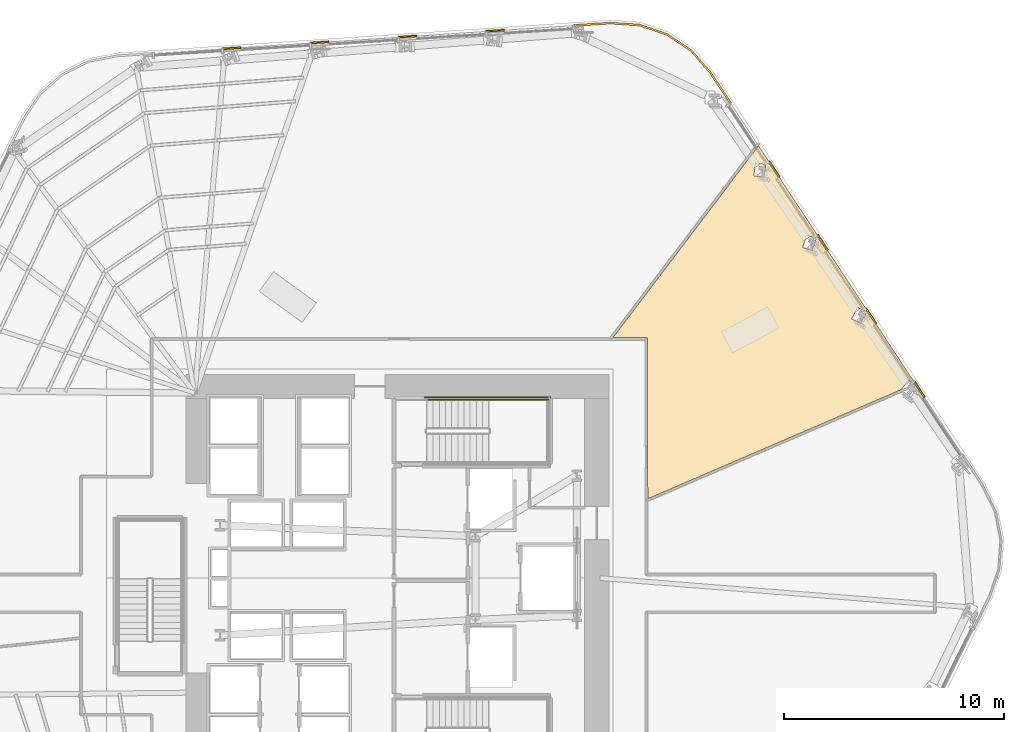
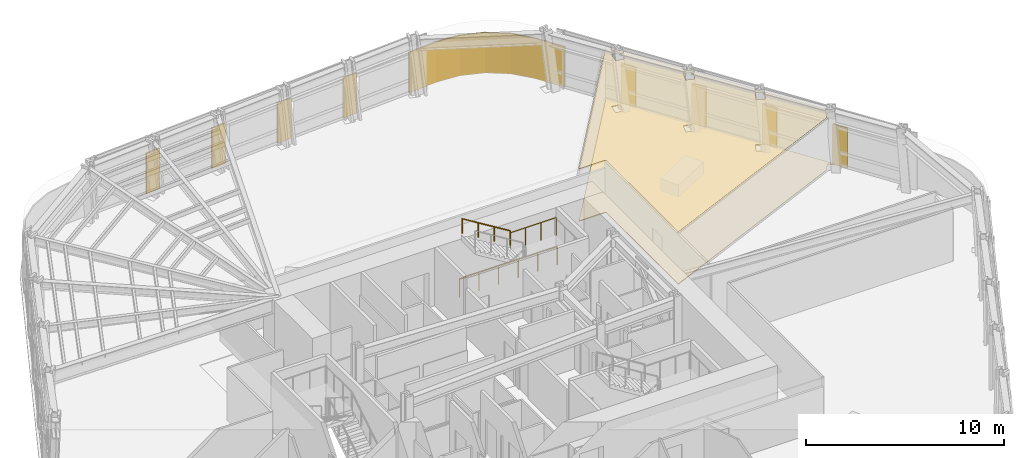
# One storey, part 14 of 15: 11 coverings, 3 railings.
"""IFC4 building model written with IfcOpenShell, lengths in metres."""

from ifc_helpers import new_model, si_unit, direction, frame, origin, origin_2d, place, context, subcontext, project, spatial, polyline, circle, outline, extrude, material, layer, layer_set, type_object, element, save


model = new_model("IFC4")

# Units and contexts
model_context = context("Model", 3, precision=1e-05, world=origin(), true_north=direction((0.0, 1.0)))
body_context = subcontext(model_context, "Body", "Model", "MODEL_VIEW")
ifc_project = project(units=[si_unit("LENGTHUNIT", "METRE"), si_unit("AREAUNIT", "SQUARE_METRE"), si_unit("VOLUMEUNIT", "CUBIC_METRE"), si_unit("PLANEANGLEUNIT", "RADIAN"), si_unit("MASSUNIT", "GRAM", prefix="KILO")], contexts=[model_context])

# Site, building, storey
site_placement = place(None, origin())
site = spatial("IfcSite", under=ifc_project, at=site_placement, CompositionType="ELEMENT")
building_placement = place(site_placement, origin())
building = spatial("IfcBuilding", under=site, at=building_placement, Name="Valkerne Bourse Tower", CompositionType="ELEMENT")
storey_placement = place(building_placement, frame((0.0, 0.0, 39.199951171875)))
storey = spatial("IfcBuildingStorey", under=building, at=storey_placement, Name="L09", CompositionType="ELEMENT", Elevation=39.199951171875)

# Coverings
ifc_material_1 = material(Name="Mineral Fiber Acoustic Ceiling Tile", Category="acoustic")
ifc_layer_1 = layer(ifc_material_1, 0.02490234375)
ifc_layer_set_1 = layer_set([ifc_layer_1], Name="Mineral Fiber Acoustic Ceiling Tile")
covering_type_1 = type_object("IfcCoveringType", Name="COV-CEIL-ACT", PredefinedType="CEILING", material=ifc_layer_set_1)
covering_1_placement = place(storey_placement, frame((0.0, 0.0, 3.22998046875)))
element("IfcCovering", 1, at=covering_1_placement, inside=storey, type_object=covering_type_1, Name="L09 Suspended Ceiling 05", PredefinedType="CEILING", context=body_context, shape_type="SweptSolid", body=[
    extrude(outline(polyline([(58.167236328125, 37.866455078125), (58.14599609375, 37.901611328125), (58.103515625, 37.9189453125), (56.591796875, 37.9189453125), (63.196533203125, 46.62548828125), (70.31591796875, 35.82568359375), (70.260009765625, 35.801513671875), (70.004638671875, 35.988525390625), (69.6826171875, 35.552978515625), (58.1689453125, 30.598388671875), (58.167236328125, 37.866455078125)]), holes=[polyline([(68.102294921875, 39.0673828125), (68.1005859375, 39.070556640625), (67.689697265625, 39.27978515625), (67.42578125, 38.767333984375), (67.427734375, 38.764404296875), (67.838623046875, 38.555419921875), (68.102294921875, 39.0673828125)]), polyline([(65.817138671875, 42.419677734375), (65.81494140625, 42.42236328125), (65.375, 42.560791015625), (65.19970703125, 42.011962890625), (65.201904296875, 42.00927734375), (65.6416015625, 41.870849609375), (65.817138671875, 42.419677734375)]), polyline([(63.521728515625, 45.76708984375), (63.0654296875, 45.8330078125), (62.98046875, 45.26318359375), (62.983154296875, 45.260986328125), (63.439453125, 45.195068359375), (63.5244140625, 45.764892578125), (63.521728515625, 45.76708984375)])]), origin(), (0.0, 0.0, 1.0), 0.025146484375),
])
ifc_material_2 = material(Name="Bronze Anodised Aluminium AA 6063-T6", Category="aluminium")
ifc_layer_2 = layer(ifc_material_2, 0.06005859375)
ifc_layer_set_2 = layer_set([ifc_layer_2], Name="Bronze Anodised Aluminium AA 6063-T6")
covering_type_2 = type_object("IfcCoveringType", Name="COV-CRN-ALUM", PredefinedType="CLADDING", material=ifc_layer_set_2)
covering_2_placement = place(storey_placement, origin())
element("IfcCovering", 2, at=covering_2_placement, inside=storey, type_object=covering_type_2, Name="L09 Wind-Shaped Corner Aluminium Cladding 17", PredefinedType="CLADDING", context=body_context, shape_type="SweptSolid", body=[
    extrude(outline(polyline([(39.697509765625, 51.116943359375), (39.70263671875, 51.037109375), (38.864501953125, 50.9814453125), (38.859619140625, 51.061279296875), (39.697509765625, 51.116943359375)])), origin(), (0.0, 0.0, 1.0), 2.5),
])
covering_3_placement = place(storey_placement, origin())
element("IfcCovering", 3, at=covering_3_placement, inside=storey, type_object=covering_type_2, Name="L09 Wind-Shaped Corner Aluminium Cladding 18", PredefinedType="CLADDING", context=body_context, shape_type="SweptSolid", body=[
    extrude(outline(polyline([(43.684814453125, 51.38232421875), (43.689697265625, 51.302490234375), (42.851806640625, 51.24658203125), (42.8466796875, 51.326416015625), (43.684814453125, 51.38232421875)])), origin(), (0.0, 0.0, 1.0), 2.5),
])
covering_4_placement = place(storey_placement, origin())
element("IfcCovering", 4, at=covering_4_placement, inside=storey, type_object=covering_type_2, Name="L09 Wind-Shaped Corner Aluminium Cladding 19", PredefinedType="CLADDING", context=body_context, shape_type="SweptSolid", body=[
    extrude(outline(polyline([(47.672119140625, 51.647705078125), (47.677001953125, 51.567626953125), (46.839111328125, 51.511962890625), (46.833984375, 51.591796875), (47.672119140625, 51.647705078125)])), origin(), (0.0, 0.0, 1.0), 2.5),
])
covering_5_placement = place(storey_placement, origin())
element("IfcCovering", 5, at=covering_5_placement, inside=storey, type_object=covering_type_2, Name="L09 Wind-Shaped Corner Aluminium Cladding 20", PredefinedType="CLADDING", context=body_context, shape_type="SweptSolid", body=[
    extrude(outline(polyline([(51.6591796875, 51.912841796875), (51.664306640625, 51.8330078125), (50.826171875, 51.777099609375), (50.8212890625, 51.857177734375), (51.6591796875, 51.912841796875)])), origin(), (0.0, 0.0, 1.0), 2.5),
])
covering_6_placement = place(storey_placement, origin())
element("IfcCovering", 6, at=covering_6_placement, inside=storey, type_object=covering_type_2, Name="L09 Wind-Shaped Corner Aluminium Cladding 21", PredefinedType="CLADDING", context=body_context, shape_type="SweptSolid", body=[
    extrude(outline(polyline([(56.47265625, 52.233154296875), (57.807373046875, 52.14208984375), (59.066650390625, 51.7109375), (60.17138671875, 50.968505859375), (61.05078125, 49.96044921875), (61.96875, 48.56787109375), (61.902099609375, 48.5234375), (60.98681640625, 49.912109375), (60.1181640625, 50.907958984375), (59.03076171875, 51.638671875), (57.791259765625, 52.06298828125), (56.47265625, 52.15283203125), (54.8134765625, 52.04248046875), (54.808349609375, 52.122314453125), (56.47265625, 52.233154296875)])), origin(), (0.0, 0.0, 1.0), 2.5),
])
covering_7_placement = place(storey_placement, origin())
element("IfcCovering", 7, at=covering_7_placement, inside=storey, type_object=covering_type_2, Name="L09 Wind-Shaped Corner Aluminium Cladding 22", PredefinedType="CLADDING", context=body_context, shape_type="SweptSolid", body=[
    extrude(outline(polyline([(64.168212890625, 45.2314453125), (64.1015625, 45.187255859375), (63.639404296875, 45.888427734375), (63.705810546875, 45.932861328125), (64.168212890625, 45.2314453125)])), origin(), (0.0, 0.0, 1.0), 2.5),
])
covering_8_placement = place(storey_placement, origin())
element("IfcCovering", 8, at=covering_8_placement, inside=storey, type_object=covering_type_2, Name="L09 Wind-Shaped Corner Aluminium Cladding 23", PredefinedType="CLADDING", context=body_context, shape_type="SweptSolid", body=[
    extrude(outline(polyline([(66.36767578125, 41.895263671875), (66.301025390625, 41.850830078125), (65.838623046875, 42.55224609375), (65.9052734375, 42.596435546875), (66.36767578125, 41.895263671875)])), origin(), (0.0, 0.0, 1.0), 2.5),
])
covering_9_placement = place(storey_placement, origin())
element("IfcCovering", 9, at=covering_9_placement, inside=storey, type_object=covering_type_2, Name="L09 Wind-Shaped Corner Aluminium Cladding 24", PredefinedType="CLADDING", context=body_context, shape_type="SweptSolid", body=[
    extrude(outline(polyline([(68.56689453125, 38.558837890625), (68.50048828125, 38.5146484375), (68.0380859375, 39.2158203125), (68.1044921875, 39.26025390625), (68.56689453125, 38.558837890625)])), origin(), (0.0, 0.0, 1.0), 2.5),
])
covering_10_placement = place(storey_placement, origin())
element("IfcCovering", 10, at=covering_10_placement, inside=storey, type_object=covering_type_2, Name="L09 Wind-Shaped Corner Aluminium Cladding 25", PredefinedType="CLADDING", context=body_context, shape_type="SweptSolid", body=[
    extrude(outline(polyline([(70.766357421875, 35.22265625), (70.69970703125, 35.17822265625), (70.2373046875, 35.879638671875), (70.303955078125, 35.923828125), (70.766357421875, 35.22265625)])), origin(), (0.0, 0.0, 1.0), 2.5),
])
ifc_material_3 = material(Name="Galvanised Painted Steel", Category="steel")
ifc_layer_3 = layer(ifc_material_3, 0.044921875)
ifc_layer_set_3 = layer_set([ifc_layer_3], Name="Galvanised Painted Steel")
covering_type_3 = type_object("IfcCoveringType", Name="COV-FLR-RAF", PredefinedType="FLOORING", material=ifc_layer_set_3)
covering_11_placement = place(storey_placement, origin())
element("IfcCovering", 11, at=covering_11_placement, inside=storey, type_object=covering_type_3, Name="L09 Floor Finish 05", PredefinedType="FLOORING", context=body_context, shape_type="SweptSolid", body=[
    extrude(outline(polyline([(58.167236328125, 37.866455078125), (58.14599609375, 37.901611328125), (58.103515625, 37.9189453125), (56.591796875, 37.9189453125), (63.196533203125, 46.62548828125), (70.31591796875, 35.82568359375), (70.260009765625, 35.801513671875), (70.004638671875, 35.988525390625), (69.6826171875, 35.552978515625), (58.1689453125, 30.598388671875), (58.167236328125, 37.866455078125)]), holes=[polyline([(68.102294921875, 39.0673828125), (68.1005859375, 39.070556640625), (67.689697265625, 39.27978515625), (67.42578125, 38.767333984375), (67.427734375, 38.764404296875), (67.838623046875, 38.555419921875), (68.102294921875, 39.0673828125)]), polyline([(65.817138671875, 42.419677734375), (65.81494140625, 42.42236328125), (65.375, 42.560791015625), (65.19970703125, 42.011962890625), (65.201904296875, 42.00927734375), (65.6416015625, 41.870849609375), (65.817138671875, 42.419677734375)]), polyline([(63.521728515625, 45.76708984375), (63.0654296875, 45.8330078125), (62.98046875, 45.26318359375), (62.983154296875, 45.260986328125), (63.439453125, 45.195068359375), (63.5244140625, 45.764892578125), (63.521728515625, 45.76708984375)])]), origin(), (0.0, 0.0, 1.0), 0.045166015625),
])

# Railings
railing_type_1 = type_object("IfcRailingType", Name="RLG-ST-GUARD-1120", PredefinedType="GUARDRAIL", material=ifc_material_3)
railing_1_placement = place(storey_placement, frame((50.949951171875, 35.10009765625, 1.900146484375)))
element("IfcRailing", 12, at=railing_1_placement, inside=storey, type_object=railing_type_1, Name="L09 ST-2 stair guard 4", PredefinedType="GUARDRAIL", context=body_context, shape_type="SweptSolid", body=[
    extrude(circle(Radius=0.02392578125, at=origin_2d()), frame((0.0, 0.0, 1.09619140625), z_axis=(1.0, 0.0, 0.0), x_axis=(0.0, 1.0, 0.0)), (0.0, 0.0, 1.0), 2.699951171875),
    extrude(circle(Radius=0.02099609375, at=origin_2d()), origin(), (0.0, 0.0, 1.0), 1.072021484375),
    extrude(circle(Radius=0.02099609375, at=origin_2d()), frame((0.89990234375, 0.0, 0.0)), (0.0, 0.0, 1.0), 1.072021484375),
    extrude(circle(Radius=0.02099609375, at=origin_2d()), frame((1.800048828125, 0.0, 0.0)), (0.0, 0.0, 1.0), 1.072021484375),
    extrude(circle(Radius=0.02099609375, at=origin_2d()), frame((2.699951171875, 0.0, 0.0)), (0.0, 0.0, 1.0), 1.072021484375),
])
railing_2_placement = place(storey_placement, frame((48.050048828125, 35.199951171875, 0.0)))
element("IfcRailing", 13, at=railing_2_placement, inside=storey, type_object=railing_type_1, Name="L09 ST-2 stair guard 11", PredefinedType="GUARDRAIL", context=body_context, shape_type="SweptSolid", body=[
    extrude(circle(Radius=0.02392578125, at=origin_2d()), frame((0.0, 0.0, 1.09619140625), z_axis=(1.0, 0.0, 0.0), x_axis=(0.0, 1.0, 0.0)), (0.0, 0.0, 1.0), 5.699951171875),
    extrude(circle(Radius=0.02099609375, at=origin_2d()), origin(), (0.0, 0.0, 1.0), 1.072021484375),
    extrude(circle(Radius=0.02099609375, at=origin_2d()), frame((1.139892578125, 0.0, 0.0)), (0.0, 0.0, 1.0), 1.072021484375),
    extrude(circle(Radius=0.02099609375, at=origin_2d()), frame((2.280029296875, 0.0, 0.0)), (0.0, 0.0, 1.0), 1.072021484375),
    extrude(circle(Radius=0.02099609375, at=origin_2d()), frame((3.419921875, 0.0, 0.0)), (0.0, 0.0, 1.0), 1.072021484375),
    extrude(circle(Radius=0.02099609375, at=origin_2d()), frame((4.56005859375, 0.0, 0.0)), (0.0, 0.0, 1.0), 1.072021484375),
    extrude(circle(Radius=0.02099609375, at=origin_2d()), frame((5.699951171875, 0.0, 0.0)), (0.0, 0.0, 1.0), 1.072021484375),
])
ifc_material_4 = material(Name="Stainless Steel AISI 316", Category="steel")
railing_type_2 = type_object("IfcRailingType", Name="RLG-ST-HANDRAIL-900", PredefinedType="HANDRAIL", material=ifc_material_4)
railing_3_placement = place(storey_placement, frame((50.949951171875, 35.10009765625, 2.24560546875)))
element("IfcRailing", 14, at=railing_3_placement, inside=storey, type_object=railing_type_2, Name="L09 ST-2 stair handrail 2", PredefinedType="HANDRAIL", context=body_context, shape_type="SweptSolid", body=[
    extrude(circle(Radius=0.02392578125, at=origin_2d()), frame((0.0, 0.0, 0.8759765625), z_axis=(-0.851122791225, 0.0, 0.524966660138), x_axis=(0.0, -1.0, 0.0)), (0.0, 0.0, 1.0), 3.289794921875),
    extrude(circle(Radius=0.02099609375, at=origin_2d()), origin(), (0.0, 0.0, 1.0), 0.851806640625),
    extrude(circle(Radius=0.02099609375, at=origin_2d()), frame((-0.933349609375, 0.0, 0.57568359375)), (0.0, 0.0, 1.0), 0.851806640625),
    extrude(circle(Radius=0.02099609375, at=origin_2d()), frame((-1.86669921875, 0.0, 1.1513671875)), (0.0, 0.0, 1.0), 0.851806640625),
    extrude(circle(Radius=0.02099609375, at=origin_2d()), frame((-2.800048828125, 0.0, 1.72705078125)), (0.0, 0.0, 1.0), 0.851806640625),
])

save(model, "model.ifc")
